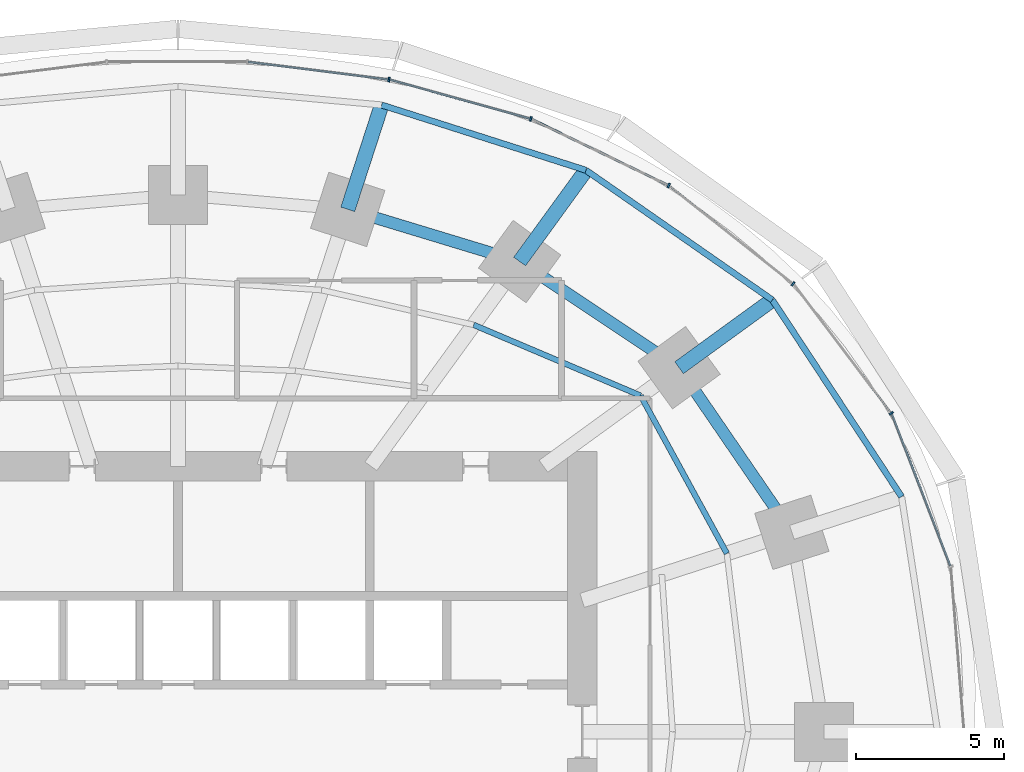
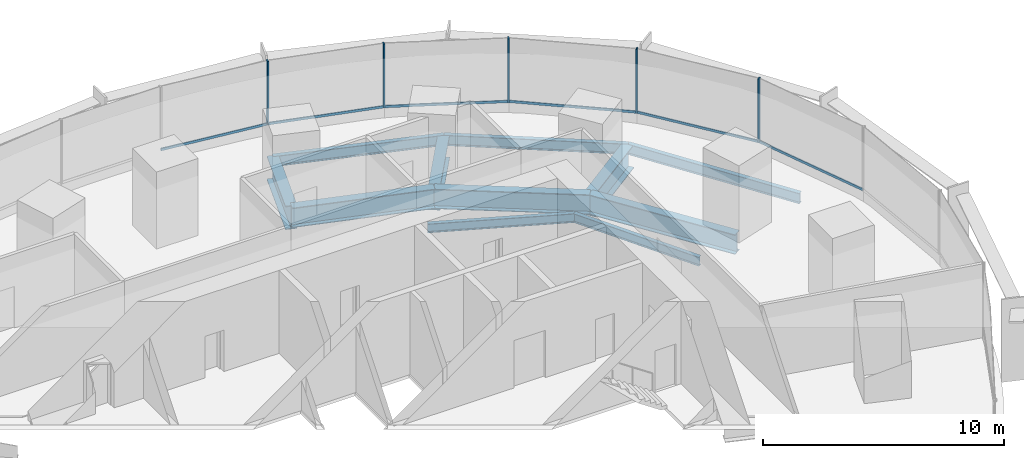
# One storey, part 9 of 15: 11 beams, 11 members, 2 elements without a shape of their own.
"""IFC4 building model written with IfcOpenShell, lengths in metres."""

from ifc_helpers import new_model, si_unit, direction, frame, origin, origin_2d, place, context, subcontext, project, spatial, rectangle, i_section, extrude, material, material_profile, profile_set, type_object, element, aggregate, save


model = new_model("IFC4")

# Units and contexts
model_context = context("Model", 3, precision=1e-05, world=origin(), true_north=direction((0.0, 1.0)))
body_context = subcontext(model_context, "Body", "Model", "MODEL_VIEW")
ifc_project = project(units=[si_unit("LENGTHUNIT", "METRE"), si_unit("AREAUNIT", "SQUARE_METRE"), si_unit("VOLUMEUNIT", "CUBIC_METRE"), si_unit("PLANEANGLEUNIT", "RADIAN"), si_unit("MASSUNIT", "GRAM", prefix="KILO")], contexts=[model_context])

# Site, building, storey
site_placement = place(None, origin())
site = spatial("IfcSite", under=ifc_project, at=site_placement, CompositionType="ELEMENT")
building_placement = place(site_placement, origin())
building = spatial("IfcBuilding", under=site, at=building_placement, Name="Marramba Exchange Tower", CompositionType="ELEMENT")
storey_placement = place(building_placement, frame((0.0, 0.0, 36.39990234375)))
storey = spatial("IfcBuildingStorey", under=building, at=storey_placement, Name="L08", CompositionType="ELEMENT", Elevation=36.39990234375)

# Beams
ifc_material_1 = material(Name="Steel AS/NZS 3679.2 grade 300", Category="steel")
ifc_material_profile_1 = material_profile(ifc_material_1, i_section(OverallWidth=0.5, OverallDepth=1.199951171875, WebThickness=0.01611328125, FlangeThickness=0.0400390625, at=origin_2d()), Name="1200WB455")
ifc_profile_set_1 = profile_set([ifc_material_profile_1], Name="Steel AS/NZS 3679.2 grade 300")
beam_type_1 = type_object("IfcBeamType", Name="Cantilever girder 1200WB455", PredefinedType="BEAM", material=ifc_profile_set_1)
beam_1_placement = place(storey_placement, frame((16.98583984375, 12.3408203125, -0.760009765625), z_axis=(0.808987260856, 0.587826174793, 0.0), x_axis=(-0.587826174793, 0.808987260856, 0.0)))
element("IfcBeam", 1, at=beam_1_placement, inside=storey, type_object=beam_type_1, Name="Cantilever girder L08 TC03", PredefinedType="BEAM", context=body_context, shape_type="SweptSolid", body=[
    extrude(i_section(OverallWidth=0.5, OverallDepth=1.199951171875, WebThickness=0.01611328125, FlangeThickness=0.0400390625, at=origin_2d()), origin(), (0.0, 0.0, 1.0), 3.90771484375),
])
beam_2_placement = place(storey_placement, frame((11.581298828125, 15.9404296875, -0.760009765625), z_axis=(0.587795827483, 0.809009310944, 0.0), x_axis=(-0.809009310944, 0.587795827483, 0.0)))
element("IfcBeam", 2, at=beam_2_placement, inside=storey, type_object=beam_type_1, Name="Cantilever girder L08 TC04", PredefinedType="BEAM", context=body_context, shape_type="SweptSolid", body=[
    extrude(i_section(OverallWidth=0.5, OverallDepth=1.199951171875, WebThickness=0.01611328125, FlangeThickness=0.0400390625, at=origin_2d()), origin(), (0.0, 0.0, 1.0), 3.82421875),
])
beam_3_placement = place(storey_placement, frame((5.75390625, 17.70849609375, -0.760009765625), z_axis=(0.308973290646, 0.951070715387, 0.0), x_axis=(-0.951070715387, 0.308973290646, 0.0)))
element("IfcBeam", 3, at=beam_3_placement, inside=storey, type_object=beam_type_1, Name="Cantilever girder L08 TC05", PredefinedType="BEAM", context=body_context, shape_type="SweptSolid", body=[
    extrude(i_section(OverallWidth=0.5, OverallDepth=1.199951171875, WebThickness=0.01611328125, FlangeThickness=0.0400390625, at=origin_2d()), origin(), (0.0, 0.0, 1.0), 3.72021484375),
])
ifc_material_2 = material(Name="Steel AS/NZS 3679.1 grade 300", Category="steel")
ifc_material_profile_2 = material_profile(ifc_material_2, i_section(OverallWidth=0.18994140625, OverallDepth=0.4541015625, WebThickness=0.008544921875, FlangeThickness=0.0126953125, FilletRadius=0.011474609375, at=origin_2d()), Name="460UB67.1")
ifc_profile_set_2 = profile_set([ifc_material_profile_2], Name="Steel AS/NZS 3679.1 grade 300")
beam_type_2 = type_object("IfcBeamType", Name="Floor joist 460UB67.1", PredefinedType="JOIST", material=ifc_profile_set_2)
beam_4_placement = place(storey_placement, frame((18.60546875, 6.04541015625, -0.386962890625), z_axis=(-0.479584443791, 0.877495732909, 0.0), x_axis=(-0.877495732909, -0.479584443791, 0.0)))
element("IfcBeam", 4, at=beam_4_placement, inside=storey, type_object=beam_type_2, Name="Joist L08 bay 02 row 2", PredefinedType="JOIST", context=body_context, shape_type="SweptSolid", body=[
    extrude(i_section(OverallWidth=0.18994140625, OverallDepth=0.4541015625, WebThickness=0.008544921875, FlangeThickness=0.0126953125, FilletRadius=0.011474609375, at=origin_2d()), origin(), (0.0, 0.0, 1.0), 6.094970703125),
])
beam_5_placement = place(storey_placement, frame((15.682373046875, 11.393798828125, -0.386962890625), z_axis=(-0.920674336375, 0.390331610738, 0.0), x_axis=(-0.390331610738, -0.920674336375, 0.0)))
element("IfcBeam", 5, at=beam_5_placement, inside=storey, type_object=beam_type_2, Name="Joist L08 bay 03 row 2", PredefinedType="JOIST", context=body_context, shape_type="SweptSolid", body=[
    extrude(i_section(OverallWidth=0.18994140625, OverallDepth=0.4541015625, WebThickness=0.008544921875, FlangeThickness=0.0126953125, FilletRadius=0.011474609375, at=origin_2d()), origin(), (0.0, 0.0, 1.0), 6.1484375),
])
ifc_material_profile_3 = material_profile(ifc_material_1, i_section(OverallWidth=0.39990234375, OverallDepth=1.0, WebThickness=0.01611328125, FlangeThickness=0.031982421875, at=origin_2d()), Name="1000WB322")
ifc_profile_set_3 = profile_set([ifc_material_profile_3], Name="Steel AS/NZS 3679.2 grade 300")
beam_type_3 = type_object("IfcBeamType", Name="Ring beam 1000WB322", PredefinedType="SPANDREL", material=ifc_profile_set_3)
beam_6_placement = place(storey_placement, frame((20.808349609375, 6.760986328125, -0.659912109375), z_axis=(-0.56516002054, 0.824981303535, 0.0), x_axis=(-0.824981303535, -0.56516002054, 0.0)))
element("IfcBeam", 6, at=beam_6_placement, inside=storey, type_object=beam_type_3, Name="Ring beam L08 TC02-TC03", PredefinedType="SPANDREL", context=body_context, shape_type="SweptSolid", body=[
    extrude(i_section(OverallWidth=0.39990234375, OverallDepth=1.0, WebThickness=0.01611328125, FlangeThickness=0.031982421875, at=origin_2d()), origin(), (0.0, 0.0, 1.0), 6.763671875),
])
beam_7_placement = place(storey_placement, frame((16.98583984375, 12.3408203125, -0.659912109375), z_axis=(-0.832293151443, 0.554335737673, 0.0), x_axis=(-0.554335737673, -0.832293151443, 0.0)))
element("IfcBeam", 7, at=beam_7_placement, inside=storey, type_object=beam_type_3, Name="Ring beam L08 TC03-TC04", PredefinedType="SPANDREL", context=body_context, shape_type="SweptSolid", body=[
    extrude(i_section(OverallWidth=0.39990234375, OverallDepth=1.0, WebThickness=0.01611328125, FlangeThickness=0.031982421875, at=origin_2d()), origin(), (0.0, 0.0, 1.0), 6.49365234375),
])
beam_8_placement = place(storey_placement, frame((11.581298828125, 15.9404296875, -0.659912109375), z_axis=(-0.956924542524, 0.290336735387, 0.0), x_axis=(-0.290336735387, -0.956924542524, 0.0)))
element("IfcBeam", 8, at=beam_8_placement, inside=storey, type_object=beam_type_3, Name="Ring beam L08 TC04-TC05", PredefinedType="SPANDREL", context=body_context, shape_type="SweptSolid", body=[
    extrude(i_section(OverallWidth=0.39990234375, OverallDepth=1.0, WebThickness=0.01611328125, FlangeThickness=0.031982421875, at=origin_2d()), origin(), (0.0, 0.0, 1.0), 6.089599609375),
])
ifc_material_profile_4 = material_profile(ifc_material_2, i_section(OverallWidth=0.208984375, OverallDepth=0.528076171875, WebThickness=0.009521484375, FlangeThickness=0.01318359375, FilletRadius=0.013916015625, at=origin_2d()), Name="530UB82.0")
ifc_profile_set_4 = profile_set([ifc_material_profile_4], Name="Steel AS/NZS 3679.1 grade 300")
beam_type_4 = type_object("IfcBeamType", Name="Slab edge beam 530UB82.0", PredefinedType="SPANDREL", material=ifc_profile_set_4)
beam_9_placement = place(storey_placement, frame((24.528564453125, 7.9697265625, -0.423828125), z_axis=(-0.549123544095, 0.835741188001, 0.0), x_axis=(-0.835741188001, -0.549123544095, 0.0)))
element("IfcBeam", 9, at=beam_9_placement, inside=storey, type_object=beam_type_4, Name="Slab edge beam L08 TC02-TC03", PredefinedType="SPANDREL", context=body_context, shape_type="SweptSolid", body=[
    extrude(i_section(OverallWidth=0.208984375, OverallDepth=0.528076171875, WebThickness=0.009521484375, FlangeThickness=0.01318359375, FilletRadius=0.013916015625, at=origin_2d()), origin(), (0.0, 0.0, 1.0), 7.978759765625),
])
beam_10_placement = place(storey_placement, frame((20.147216796875, 14.637939453125, -0.423828125), z_axis=(-0.820842487183, 0.571154629882, 0.0), x_axis=(-0.571154629882, -0.820842487183, 0.0)))
element("IfcBeam", 10, at=beam_10_placement, inside=storey, type_object=beam_type_4, Name="Slab edge beam L08 TC03-TC04", PredefinedType="SPANDREL", context=body_context, shape_type="SweptSolid", body=[
    extrude(i_section(OverallWidth=0.208984375, OverallDepth=0.528076171875, WebThickness=0.009521484375, FlangeThickness=0.01318359375, FilletRadius=0.013916015625, at=origin_2d()), origin(), (0.0, 0.0, 1.0), 7.697021484375),
])
beam_11_placement = place(storey_placement, frame((13.8291015625, 19.0341796875, -0.423828125), z_axis=(-0.952577642997, 0.304295635957, 0.0), x_axis=(-0.304295635957, -0.952577642997, 0.0)))
element("IfcBeam", 11, at=beam_11_placement, inside=storey, type_object=beam_type_4, Name="Slab edge beam L08 TC04-TC05", PredefinedType="SPANDREL", context=body_context, shape_type="SweptSolid", body=[
    extrude(i_section(OverallWidth=0.208984375, OverallDepth=0.528076171875, WebThickness=0.009521484375, FlangeThickness=0.01318359375, FilletRadius=0.013916015625, at=origin_2d()), origin(), (0.0, 0.0, 1.0), 7.2705078125),
])

# Curtain wall, members
ifc_material_3 = material(Name="Aluminium framing, bronze anodised", Category="aluminium")
curtain_wall_type = type_object("IfcCurtainWallType", Name="Trading floor ribbon curtain wall", PredefinedType="USERDEFINED", material=ifc_material_3)
curtain_wall_1_placement = place(storey_placement, origin())
curtain_wall_1 = element("IfcCurtainWall", 12, at=curtain_wall_1_placement, inside=storey, type_object=curtain_wall_type, Name="Curtain wall CW3 L08 F01-F05", ObjectType="RIBBON CURTAIN WALL", PredefinedType="USERDEFINED")
ifc_material_4 = material(Name="Aluminium mullion, bronze anodised", Category="aluminium")
ifc_material_profile_5 = material_profile(ifc_material_4, rectangle(XDim=0.159912109375, YDim=0.06005859375, at=origin_2d()), Name="CW3 mullion 60x160")
ifc_profile_set_5 = profile_set([ifc_material_profile_5], Name="Aluminium mullion, bronze anodised")
member_type_1 = type_object("IfcMemberType", Name="Trading floor ribbon curtain wall mullion", PredefinedType="MULLION", material=ifc_profile_set_5)
member_1_placement = place(storey_placement, frame((24.178466796875, 10.796875, 0.800048828125), z_axis=(0.0, 0.0, 1.0), x_axis=(-0.797748922445, -0.602989765036, 0.0)))
member_1 = element("IfcMember", 13, at=member_1_placement, type_object=member_type_1, Name="CW3 mullion 1", PredefinedType="MULLION", context=body_context, shape_type="SweptSolid", body=[
    extrude(rectangle(XDim=0.159912109375, YDim=0.06005859375, at=origin_2d()), origin(), (0.0, 0.0, 1.0), 3.239990234375),
])
member_2_placement = place(storey_placement, frame((20.851806640625, 15.185546875, 0.800048828125), z_axis=(0.0, 0.0, 1.0), x_axis=(-0.620649730166, -0.784087949432, 0.0)))
member_2 = element("IfcMember", 14, at=member_2_placement, type_object=member_type_1, Name="CW3 mullion 1", PredefinedType="MULLION", context=body_context, shape_type="SweptSolid", body=[
    extrude(rectangle(XDim=0.159912109375, YDim=0.06005859375, at=origin_2d()), origin(), (0.0, 0.0, 1.0), 3.239990234375),
])
member_3_placement = place(storey_placement, frame((16.63330078125, 18.516357421875, 0.800048828125), z_axis=(0.0, 0.0, 1.0), x_axis=(-0.43596538664, -0.899963433508, 0.0)))
member_3 = element("IfcMember", 15, at=member_3_placement, type_object=member_type_1, Name="CW3 mullion 1", PredefinedType="MULLION", context=body_context, shape_type="SweptSolid", body=[
    extrude(rectangle(XDim=0.159912109375, YDim=0.06005859375, at=origin_2d()), origin(), (0.0, 0.0, 1.0), 3.239990234375),
])

curtain_wall_2_placement = place(storey_placement, origin())
curtain_wall_2 = element("IfcCurtainWall", 16, at=curtain_wall_2_placement, inside=storey, type_object=curtain_wall_type, Name="Curtain wall CW3 L08 F06-F10", ObjectType="RIBBON CURTAIN WALL", PredefinedType="USERDEFINED")
member_4_placement = place(storey_placement, frame((11.96044921875, 20.774169921875, 0.800048828125), z_axis=(0.0, 0.0, 1.0), x_axis=(-0.267808735815, -0.963472096649, 0.0)))
member_4 = element("IfcMember", 17, at=member_4_placement, type_object=member_type_1, Name="CW3 mullion 1", PredefinedType="MULLION", context=body_context, shape_type="SweptSolid", body=[
    extrude(rectangle(XDim=0.159912109375, YDim=0.06005859375, at=origin_2d()), origin(), (0.0, 0.0, 1.0), 3.239990234375),
])
member_5_placement = place(storey_placement, frame((7.15185546875, 22.106201171875, 0.800048828125), z_axis=(0.0, 0.0, 1.0), x_axis=(-0.124872723099, -0.992172768738, 0.0)))
member_5 = element("IfcMember", 18, at=member_5_placement, type_object=member_type_1, Name="CW3 mullion 1", PredefinedType="MULLION", context=body_context, shape_type="SweptSolid", body=[
    extrude(rectangle(XDim=0.159912109375, YDim=0.06005859375, at=origin_2d()), origin(), (0.0, 0.0, 1.0), 3.239990234375),
])

# Member
ifc_material_5 = material(Name="Aluminium transom, bronze anodised", Category="aluminium")
ifc_material_profile_6 = material_profile(ifc_material_5, rectangle(XDim=0.06005859375, YDim=0.1201171875, at=origin_2d()), Name="CW3 transom 60x120")
ifc_profile_set_6 = profile_set([ifc_material_profile_6], Name="Aluminium transom, bronze anodised")
member_type_2 = type_object("IfcMemberType", Name="Trading floor ribbon curtain wall transom", PredefinedType="USERDEFINED", material=ifc_profile_set_6)
member_6_placement = place(storey_placement, frame((26.179931640625, 5.625244140625, 0.830078125), z_axis=(-0.359533581349, 0.933132147063, 0.0), x_axis=(-0.933132147063, -0.359533581349, 0.0)))
member_6 = element("IfcMember", 19, at=member_6_placement, type_object=member_type_2, Name="CW3 sill transom", ObjectType="TRANSOM", PredefinedType="USERDEFINED", context=body_context, shape_type="SweptSolid", body=[
    extrude(rectangle(XDim=0.06005859375, YDim=0.1201171875, at=origin_2d()), origin(), (0.0, 0.0, 1.0), 5.5166015625),
])

member_7_placement = place(storey_placement, frame((24.160400390625, 10.82080078125, 0.830078125), z_axis=(-0.602985866158, 0.797751869452, 0.0), x_axis=(-0.797751869452, -0.602985866158, 0.0)))
member_7 = element("IfcMember", 20, at=member_7_placement, type_object=member_type_2, Name="CW3 sill transom", ObjectType="TRANSOM", PredefinedType="USERDEFINED", context=body_context, shape_type="SweptSolid", body=[
    extrude(rectangle(XDim=0.06005859375, YDim=0.1201171875, at=origin_2d()), origin(), (0.0, 0.0, 1.0), 5.44775390625),
])

member_8_placement = place(storey_placement, frame((20.828369140625, 15.2041015625, 0.830078125), z_axis=(-0.784097975735, 0.620637063385, 0.0), x_axis=(-0.620637063385, -0.784097975735, 0.0)))
member_8 = element("IfcMember", 21, at=member_8_placement, type_object=member_type_2, Name="CW3 sill transom", ObjectType="TRANSOM", PredefinedType="USERDEFINED", context=body_context, shape_type="SweptSolid", body=[
    extrude(rectangle(XDim=0.06005859375, YDim=0.1201171875, at=origin_2d()), origin(), (0.0, 0.0, 1.0), 5.315673828125),
])

member_9_placement = place(storey_placement, frame((16.6064453125, 18.529296875, 0.830078125), z_axis=(-0.89995331781, 0.43598626786, 0.0), x_axis=(-0.43598626786, -0.89995331781, 0.0)))
member_9 = element("IfcMember", 22, at=member_9_placement, type_object=member_type_2, Name="CW3 sill transom", ObjectType="TRANSOM", PredefinedType="USERDEFINED", context=body_context, shape_type="SweptSolid", body=[
    extrude(rectangle(XDim=0.06005859375, YDim=0.1201171875, at=origin_2d()), origin(), (0.0, 0.0, 1.0), 5.13037109375),
])

aggregate(curtain_wall_1, [member_6, member_1, member_7, member_2, member_8, member_3, member_9])

member_10_placement = place(storey_placement, frame((11.931396484375, 20.7822265625, 0.830078125), z_axis=(-0.963468938163, 0.267820098565, 0.0), x_axis=(-0.267820098565, -0.963468938163, 0.0)))
member_10 = element("IfcMember", 23, at=member_10_placement, type_object=member_type_2, Name="CW3 sill transom", ObjectType="TRANSOM", PredefinedType="USERDEFINED", context=body_context, shape_type="SweptSolid", body=[
    extrude(rectangle(XDim=0.06005859375, YDim=0.1201171875, at=origin_2d()), origin(), (0.0, 0.0, 1.0), 4.929931640625),
])

member_11_placement = place(storey_placement, frame((7.1220703125, 22.10986328125, 0.830078125), z_axis=(-0.99216810728, 0.124909755012, 0.0), x_axis=(-0.124909755012, -0.99216810728, 0.0)))
member_11 = element("IfcMember", 24, at=member_11_placement, type_object=member_type_2, Name="CW3 sill transom", ObjectType="TRANSOM", PredefinedType="USERDEFINED", context=body_context, shape_type="SweptSolid", body=[
    extrude(rectangle(XDim=0.06005859375, YDim=0.1201171875, at=origin_2d()), origin(), (0.0, 0.0, 1.0), 4.77294921875),
])

aggregate(curtain_wall_2, [member_4, member_10, member_5, member_11])

save(model, "model.ifc")
